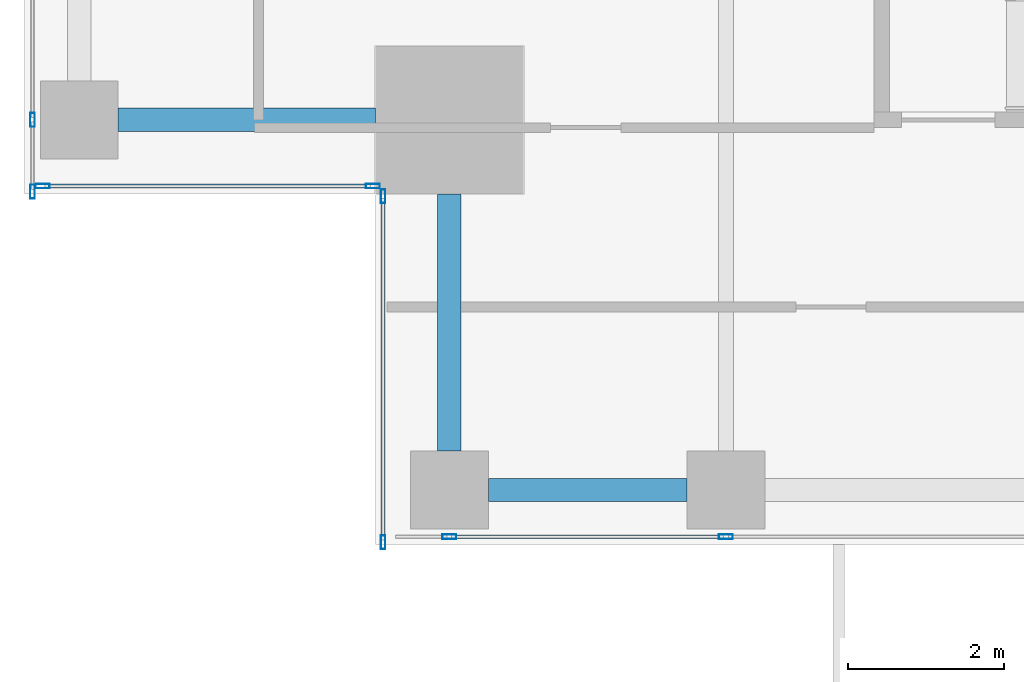
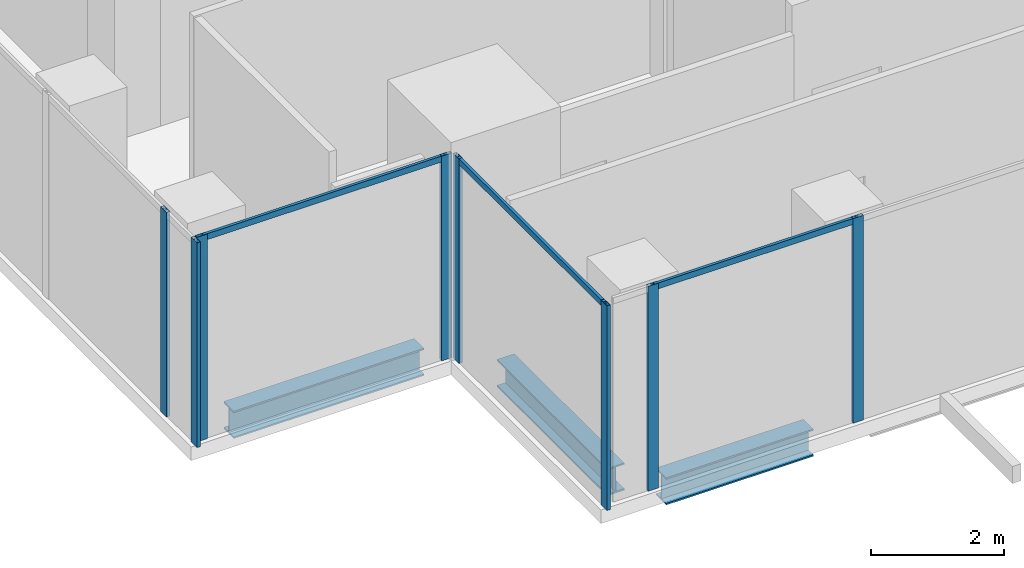
# One storey, part 2 of 40: 11 members, 3 beams, 4 elements without a shape of their own.
"""IFC4 building model written with IfcOpenShell, lengths in metres."""

from ifc_helpers import new_model, si_unit, direction, frame, origin, origin_2d, place, context, subcontext, project, spatial, hollow_rectangle, i_section, extrude, source, transform, mapped, material, material_profile, profile_set, type_object, element, aggregate, save


model = new_model("IFC4")

# Units and contexts
model_context = context("Model", 3, precision=1e-05, world=origin(), true_north=direction((0.0, 1.0)))
body_context = subcontext(model_context, "Body", "Model", "MODEL_VIEW")
ifc_project = project(units=[si_unit("LENGTHUNIT", "METRE"), si_unit("AREAUNIT", "SQUARE_METRE"), si_unit("VOLUMEUNIT", "CUBIC_METRE"), si_unit("PLANEANGLEUNIT", "RADIAN"), si_unit("MASSUNIT", "GRAM", prefix="KILO")], contexts=[model_context])

# Site, building, storey
site_placement = place(None, origin())
site = spatial("IfcSite", under=ifc_project, at=site_placement, CompositionType="ELEMENT")
building_placement = place(site_placement, origin())
building = spatial("IfcBuilding", under=site, at=building_placement, Name="Khomas Fold Tower", CompositionType="ELEMENT")
storey_placement = place(building_placement, frame((0.0, 0.0, 204.699951171875)))
storey = spatial("IfcBuildingStorey", under=building, at=storey_placement, Name="L45", CompositionType="ELEMENT", Elevation=204.699951171875)

# Beams
ifc_material_1 = material(Name="Steel S355", Category="steel")
ifc_material_profile_1 = material_profile(ifc_material_1, i_section(OverallWidth=0.300048828125, OverallDepth=0.5, WebThickness=0.014404296875, FlangeThickness=0.028076171875, at=origin_2d()), Name="HE 500 B")
ifc_profile_set_1 = profile_set([ifc_material_profile_1], Name="Steel S355")
beam_type = type_object("IfcBeamType", Name="HE 500 B spandrel SB3", PredefinedType="SPANDREL", material=ifc_profile_set_1)
shared_shape_1 = source(origin(), body_context, "Body", "SweptSolid", [
    extrude(i_section(OverallWidth=0.300048828125, OverallDepth=0.5, WebThickness=0.014404296875, FlangeThickness=0.028076171875, at=origin_2d()), origin(), (0.0, 0.0, 1.0), 2.550048828125),
])
beam_placement = place(storey_placement, frame((8.949951171875, 3.699951171875, -0.5), z_axis=(1.0, 0.0, 0.0), x_axis=(0.0, 1.0, 0.0)))
element("IfcBeam", 1, at=beam_placement, inside=storey, type_object=beam_type, Name="SB3", PredefinedType="SPANDREL", context=body_context, shape_type="MappedRepresentation", body=[
    mapped(shared_shape_1, transform((0.0, 0.0, 0.0))),
])
shared_shape_2 = source(origin(), body_context, "Body", "SweptSolid", [
    extrude(i_section(OverallWidth=0.300048828125, OverallDepth=0.5, WebThickness=0.014404296875, FlangeThickness=0.028076171875, at=origin_2d()), origin(), (0.0, 0.0, 1.0), 3.300048828125),
])
for number, where, z_axis, x_axis, name in (
    (2, (4.199951171875, 8.449951171875, -0.5), (1.0, 0.0, 0.0), (0.0, 1.0, 0.0), "SB3"),
    (3, (8.449951171875, 4.199951171875, -0.5), (0.0, 1.0, 0.0), (-1.0, 0.0, 0.0), "SB3"),
):
    element("IfcBeam", number, at=place(storey_placement, frame(where, z_axis=z_axis, x_axis=x_axis)), inside=storey, type_object=beam_type, Name=name, PredefinedType="SPANDREL", context=body_context, shape_type="MappedRepresentation", body=[
        mapped(shared_shape_2, transform((0.0, 0.0, 0.0))),
    ])

# Curtain wall, members
ifc_material_2 = material(Name="Aluminium framed double glazing", Category="aluminium")
curtain_wall_type = type_object("IfcCurtainWallType", Name="SK-Unitised clear-glass wall, office floors CW2", PredefinedType="NOTDEFINED", material=ifc_material_2)
curtain_wall_1_placement = place(storey_placement, origin())
curtain_wall_1 = element("IfcCurtainWall", 4, at=curtain_wall_1_placement, inside=storey, type_object=curtain_wall_type, Name="CW2 run L45 00-0", PredefinedType="NOTDEFINED")
ifc_material_3 = material(Name="Aluminium", Category="aluminium")
ifc_material_profile_2 = material_profile(ifc_material_3, hollow_rectangle(XDim=0.06005859375, YDim=0.179931640625, WallThickness=0.00390625, at=origin_2d()), Name="SK-Unitised clear-glass wall, office floors mullion CW2-M")
ifc_profile_set_2 = profile_set([ifc_material_profile_2], Name="Aluminium")
member_type_1 = type_object("IfcMemberType", Name="SK-Unitised clear-glass wall, office floors mullion CW2-M", PredefinedType="MULLION", material=ifc_profile_set_2)
shared_shape_3 = source(origin(), body_context, "Body", "SweptSolid", [
    extrude(hollow_rectangle(XDim=0.06005859375, YDim=0.179931640625, WallThickness=0.00390625, at=origin_2d()), origin(), (0.0, 0.0, 1.0), 3.75),
])
member_1_placement = place(storey_placement, frame((8.449951171875, 3.10009765625, 0.0), z_axis=(0.0, 0.0, 1.0), x_axis=(0.0, 1.0, 0.0)))
member_1 = element("IfcMember", 5, at=member_1_placement, type_object=member_type_1, Name="CW2 mullion 2", PredefinedType="MULLION", context=body_context, shape_type="MappedRepresentation", body=[
    mapped(shared_shape_3, transform((0.0, 0.0, 0.0))),
])
member_2_placement = place(storey_placement, frame((12.0, 3.10009765625, 0.0), z_axis=(0.0, 0.0, 1.0), x_axis=(0.0, 1.0, 0.0)))
member_2 = element("IfcMember", 6, at=member_2_placement, type_object=member_type_1, Name="CW2 mullion 3", PredefinedType="MULLION", context=body_context, shape_type="MappedRepresentation", body=[
    mapped(shared_shape_3, transform((0.0, 0.0, 0.0))),
])

curtain_wall_2_placement = place(storey_placement, origin())
curtain_wall_2 = element("IfcCurtainWall", 7, at=curtain_wall_2_placement, inside=storey, type_object=curtain_wall_type, Name="CW2 run L45 09-0", PredefinedType="NOTDEFINED")
member_3_placement = place(storey_placement, frame((3.10009765625, 8.449951171875, 0.0), z_axis=(0.0, 0.0, 1.0), x_axis=(1.0, 0.0, 0.0)))
member_3 = element("IfcMember", 8, at=member_3_placement, type_object=member_type_1, Name="CW2 mullion 8", PredefinedType="MULLION", context=body_context, shape_type="MappedRepresentation", body=[
    mapped(shared_shape_3, transform((0.0, 0.0, 0.0))),
])
member_4_placement = place(storey_placement, frame((3.10009765625, 7.530029296875, 0.0), z_axis=(0.0, 0.0, 1.0), x_axis=(1.0, 0.0, 0.0)))
member_4 = element("IfcMember", 9, at=member_4_placement, type_object=member_type_1, Name="CW2 mullion 9", PredefinedType="MULLION", context=body_context, shape_type="MappedRepresentation", body=[
    mapped(shared_shape_3, transform((0.0, 0.0, 0.0))),
])
aggregate(curtain_wall_2, [member_3, member_4])

curtain_wall_3_placement = place(storey_placement, origin())
curtain_wall_3 = element("IfcCurtainWall", 10, at=curtain_wall_3_placement, inside=storey, type_object=curtain_wall_type, Name="CW2 corner return L45 10", PredefinedType="NOTDEFINED")
member_5_placement = place(storey_placement, frame((3.22998046875, 7.60009765625, 0.0), z_axis=(0.0, 0.0, 1.0), x_axis=(0.0, 1.0, 0.0)))
member_5 = element("IfcMember", 11, at=member_5_placement, type_object=member_type_1, Name="CW2 mullion 1", PredefinedType="MULLION", context=body_context, shape_type="MappedRepresentation", body=[
    mapped(shared_shape_3, transform((0.0, 0.0, 0.0))),
])
member_6_placement = place(storey_placement, frame((7.469970703125, 7.60009765625, 0.0), z_axis=(0.0, 0.0, 1.0), x_axis=(0.0, 1.0, 0.0)))
member_6 = element("IfcMember", 12, at=member_6_placement, type_object=member_type_1, Name="CW2 mullion 2", PredefinedType="MULLION", context=body_context, shape_type="MappedRepresentation", body=[
    mapped(shared_shape_3, transform((0.0, 0.0, 0.0))),
])

curtain_wall_4_placement = place(storey_placement, origin())
curtain_wall_4 = element("IfcCurtainWall", 13, at=curtain_wall_4_placement, inside=storey, type_object=curtain_wall_type, Name="CW2 corner return L45 11", PredefinedType="NOTDEFINED")
member_7_placement = place(storey_placement, frame((7.60009765625, 7.469970703125, 0.0), z_axis=(0.0, 0.0, 1.0), x_axis=(1.0, 0.0, 0.0)))
member_7 = element("IfcMember", 14, at=member_7_placement, type_object=member_type_1, Name="CW2 mullion 1", PredefinedType="MULLION", context=body_context, shape_type="MappedRepresentation", body=[
    mapped(shared_shape_3, transform((0.0, 0.0, 0.0))),
])
member_8_placement = place(storey_placement, frame((7.60009765625, 3.030029296875, 0.0), z_axis=(0.0, 0.0, 1.0), x_axis=(1.0, 0.0, 0.0)))
member_8 = element("IfcMember", 15, at=member_8_placement, type_object=member_type_1, Name="CW2 mullion 2", PredefinedType="MULLION", context=body_context, shape_type="MappedRepresentation", body=[
    mapped(shared_shape_3, transform((0.0, 0.0, 0.0))),
])
ifc_material_4 = material(Name="Aluminium", Category="aluminium")
ifc_material_profile_3 = material_profile(ifc_material_4, hollow_rectangle(XDim=0.050048828125, YDim=0.110107421875, WallThickness=0.00390625, at=origin_2d()), Name="SK-Unitised clear-glass wall, office floors transom CW2-T")
ifc_profile_set_3 = profile_set([ifc_material_profile_3], Name="Aluminium")
member_type_2 = type_object("IfcMemberType", Name="SK-Unitised clear-glass wall, office floors transom CW2-T", PredefinedType="USERDEFINED", material=ifc_profile_set_3)
shared_shape_4 = source(origin(), body_context, "Body", "SweptSolid", [
    extrude(hollow_rectangle(XDim=0.050048828125, YDim=0.110107421875, WallThickness=0.00390625, at=origin_2d()), origin(), (0.0, 0.0, 1.0), 4.3798828125),
])
member_9_placement = place(storey_placement, frame((7.60009765625, 7.43994140625, 3.695068359375), z_axis=(0.0, -1.0, 0.0), x_axis=(1.0, 0.0, 0.0)))
member_9 = element("IfcMember", 16, at=member_9_placement, type_object=member_type_2, Name="CW2 transom 1", ObjectType="TRANSOM", PredefinedType="USERDEFINED", context=body_context, shape_type="MappedRepresentation", body=[
    mapped(shared_shape_4, transform((0.0, 0.0, 0.0))),
])
aggregate(curtain_wall_4, [member_7, member_8, member_9])

# Member
shared_shape_5 = source(origin(), body_context, "Body", "SweptSolid", [
    extrude(hollow_rectangle(XDim=0.050048828125, YDim=0.110107421875, WallThickness=0.00390625, at=origin_2d()), origin(), (0.0, 0.0, 1.0), 3.489990234375),
])
member_10_placement = place(storey_placement, frame((8.47998046875, 3.10009765625, 3.695068359375), z_axis=(1.0, 0.0, 0.0), x_axis=(0.0, 1.0, 0.0)))
member_10 = element("IfcMember", 17, at=member_10_placement, type_object=member_type_2, Name="CW2 transom 2", ObjectType="TRANSOM", PredefinedType="USERDEFINED", context=body_context, shape_type="MappedRepresentation", body=[
    mapped(shared_shape_5, transform((0.0, 0.0, 0.0))),
])

aggregate(curtain_wall_1, [member_1, member_2, member_10])

shared_shape_6 = source(origin(), body_context, "Body", "SweptSolid", [
    extrude(hollow_rectangle(XDim=0.050048828125, YDim=0.110107421875, WallThickness=0.00390625, at=origin_2d()), origin(), (0.0, 0.0, 1.0), 4.179931640625),
])
member_11_placement = place(storey_placement, frame((3.260009765625, 7.60009765625, 3.695068359375), z_axis=(1.0, 0.0, 0.0), x_axis=(0.0, 1.0, 0.0)))
member_11 = element("IfcMember", 18, at=member_11_placement, type_object=member_type_2, Name="CW2 transom 1", ObjectType="TRANSOM", PredefinedType="USERDEFINED", context=body_context, shape_type="MappedRepresentation", body=[
    mapped(shared_shape_6, transform((0.0, 0.0, 0.0))),
])

aggregate(curtain_wall_3, [member_5, member_6, member_11])

save(model, "model.ifc")
